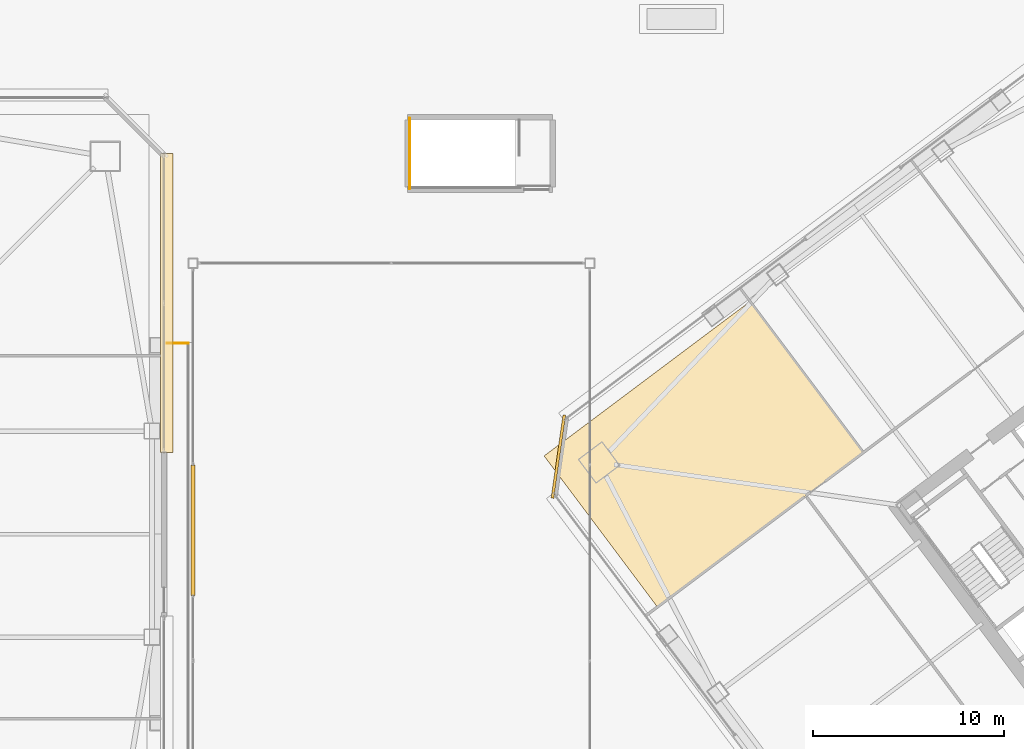
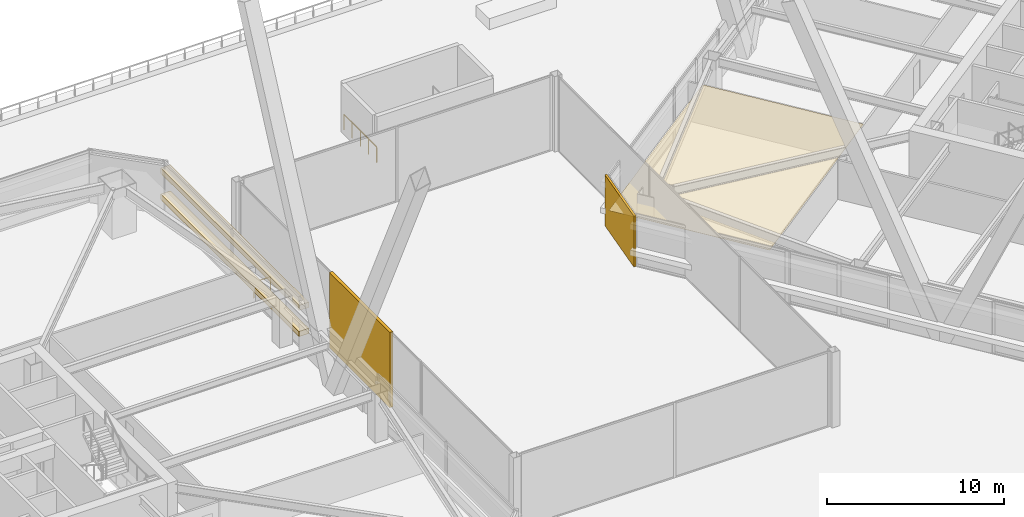
# One storey, part 79 of 83: 5 coverings, 2 railings.
"""IFC4 building model written with IfcOpenShell, lengths in metres."""

from ifc_helpers import new_model, si_unit, direction, frame, origin, origin_2d, place, context, subcontext, project, spatial, polyline, rectangle, outline, extrude, material, layer, layer_set, type_object, element, save


model = new_model("IFC4")

# Units and contexts
model_context = context("Model", 3, precision=1e-05, world=origin(), true_north=direction((0.0, 1.0)))
body_context = subcontext(model_context, "Body", "Model", "MODEL_VIEW")
ifc_project = project(units=[si_unit("LENGTHUNIT", "METRE"), si_unit("AREAUNIT", "SQUARE_METRE"), si_unit("VOLUMEUNIT", "CUBIC_METRE"), si_unit("PLANEANGLEUNIT", "RADIAN"), si_unit("MASSUNIT", "GRAM", prefix="KILO")], contexts=[model_context])

# Site, building, storey
site_placement = place(None, origin())
site = spatial("IfcSite", under=ifc_project, at=site_placement, CompositionType="ELEMENT")
building_placement = place(site_placement, origin())
building = spatial("IfcBuilding", under=site, at=building_placement, Name="Tashvorn Skyway Center", CompositionType="ELEMENT")
storey_placement = place(building_placement, frame((0.0, 0.0, 24.60009765625)))
storey = spatial("IfcBuildingStorey", under=building, at=storey_placement, Name="L05", CompositionType="ELEMENT", Elevation=24.60009765625)

# Coverings
ifc_material_1 = material(Name="Precast concrete C40/50", Category="concrete")
ifc_layer_1 = layer(ifc_material_1, 0.199951171875)
ifc_layer_set_1 = layer_set([ifc_layer_1], Name="Precast concrete C40/50")
covering_type_1 = type_object("IfcCoveringType", Name="COV-BRACE-CLAD", PredefinedType="CLADDING", material=ifc_layer_set_1)
covering_1_placement = place(storey_placement, frame((66.39990234375, 32.211181640625, 0.0), z_axis=(0.0, 0.0, 1.0), x_axis=(0.0, 1.0, 0.0)))
element("IfcCovering", 1, at=covering_1_placement, inside=storey, type_object=covering_type_1, Name="Station Concourse Monitor West Clerestory Curtain Wall Mega-Brace Cladding Band 1", PredefinedType="CLADDING", context=body_context, shape_type="SweptSolid", body=[
    extrude(rectangle(XDim=6.844482421875, YDim=0.199951171875, at=origin_2d()), origin(), (0.0, 0.0, 1.0), 5.199951171875),
])
ifc_material_2 = material(Name="Mineral-fibre acoustic ceiling tile on suspended grid")
ifc_layer_2 = layer(ifc_material_2, 0.02001953125)
ifc_layer_set_2 = layer_set([ifc_layer_2], Name="Mineral-fibre acoustic ceiling tile on suspended grid")
covering_type_2 = type_object("IfcCoveringType", Name="COV-CEIL-20", PredefinedType="CEILING", material=ifc_layer_set_2)
covering_2_placement = place(storey_placement, frame((0.0, 0.0, 2.682861328125)))
element("IfcCovering", 2, at=covering_2_placement, inside=storey, type_object=covering_type_2, Name="Tower 2 L05 Open Plan Office Acoustic Ceiling", PredefinedType="CEILING", context=body_context, shape_type="SweptSolid", body=[
    extrude(outline(polyline([(90.739990234375, 28.179931640625), (101.5400390625, 36.280029296875), (95.60009765625, 44.199951171875), (84.800048828125, 36.10009765625), (90.739990234375, 28.179931640625)])), origin(), (0.0, 0.0, 1.0), 0.02001953125),
])
ifc_material_3 = material(Name="Perforated ceramic-coated bronze aluminium solar screen", Category="aluminium")
ifc_layer_3 = layer(ifc_material_3, 0.85009765625)
ifc_layer_set_3 = layer_set([ifc_layer_3], Name="Perforated ceramic-coated bronze aluminium solar screen")
covering_type_3 = type_object("IfcCoveringType", Name="COV-SOLAR-BAND", PredefinedType="CLADDING", material=ifc_layer_set_3)
for number, where, z_axis, x_axis, name in (
    (3, (65.02001953125, 44.114990234375, 0.919921875), (0.0, 0.0, 1.0), (0.0, -1.0, 0.0), "L05 Perforated Ceramic-Metal Solar Screen Louvre Band East 1"),
    (4, (65.02001953125, 44.114990234375, 2.7197265625), (0.0, 0.0, 1.0), (0.0, -1.0, 0.0), "L05 Perforated Ceramic-Metal Solar Screen Louvre Band East 2"),
):
    element("IfcCovering", number, at=place(storey_placement, frame(where, z_axis=z_axis, x_axis=x_axis)), inside=storey, type_object=covering_type_3, Name=name, PredefinedType="CLADDING", context=body_context, shape_type="SweptSolid", body=[
        extrude(rectangle(XDim=15.64990234375, YDim=0.639892578125, at=origin_2d()), origin(), (0.0, 0.0, 1.0), 0.360107421875),
    ])
ifc_layer_4 = layer(ifc_material_1, 0.35009765625)
ifc_layer_set_4 = layer_set([ifc_layer_4], Name="Precast concrete C40/50")
covering_type_4 = type_object("IfcCoveringType", Name="COV-STONE-TRIM", PredefinedType="CLADDING", material=ifc_layer_set_4)
covering_3_placement = place(storey_placement, frame((85.552001953125, 36.06396484375, 0.02001953125), z_axis=(0.0, 0.0, 1.0), x_axis=(-0.141421350118, -0.989949494535, 0.0)))
element("IfcCovering", 5, at=covering_3_placement, inside=storey, type_object=covering_type_4, Name="Tower 2 L05 NW Mojave Limestone Corner Quoin", PredefinedType="CLADDING", context=body_context, shape_type="SweptSolid", body=[
    extrude(rectangle(XDim=4.402587890625, YDim=0.139892578125, at=origin_2d()), origin(), (0.0, 0.0, 1.0), 3.510009765625),
])

# Railings
ifc_material_4 = material(Name="Galvanized steel S355", Category="steel")
railing_type_1 = type_object("IfcRailingType", Name="RAIL-GUARD-1120", PredefinedType="GUARDRAIL", material=ifc_material_4)
railing_1_placement = place(storey_placement, frame((66.14990234375, 42.0, 0.0)))
element("IfcRailing", 6, at=railing_1_placement, inside=storey, type_object=railing_type_1, Name="L05 Podium Garden Plaza Guardrail 03", PredefinedType="GUARDRAIL", context=body_context, shape_type="SweptSolid", body=[
    extrude(rectangle(XDim=0.048095703125, YDim=0.048095703125, at=origin_2d()), frame((0.0, 0.0, 1.09619140625), z_axis=(-1.0, 0.0, 0.0), x_axis=(0.0, -1.0, 0.0)), (0.0, 0.0, 1.0), 1.099853515625),
    extrude(rectangle(XDim=0.0419921875, YDim=0.0419921875, at=origin_2d()), origin(), (0.0, 0.0, 1.0), 1.072021484375),
    extrude(rectangle(XDim=0.0419921875, YDim=0.0419921875, at=origin_2d()), frame((-1.099853515625, 0.0, 0.0)), (0.0, 0.0, 1.0), 1.072021484375),
])
ifc_material_5 = material(Name="Painted galvanized steel S355", Category="steel")
railing_type_2 = type_object("IfcRailingType", Name="RAIL-STGUARD-1100", PredefinedType="GUARDRAIL", material=ifc_material_5)
railing_2_placement = place(storey_placement, frame((77.75, 53.800048828125, 0.0)))
element("IfcRailing", 7, at=railing_2_placement, inside=storey, type_object=railing_type_2, Name="L05 ST-POD-2 top well guard 3", PredefinedType="GUARDRAIL", context=body_context, shape_type="SweptSolid", body=[
    extrude(rectangle(XDim=0.048095703125, YDim=0.048095703125, at=origin_2d()), frame((0.0, 0.0, 1.076171875), z_axis=(0.0, -1.0, 0.0), x_axis=(1.0, 0.0, 0.0)), (0.0, 0.0, 1.0), 3.699951171875),
    extrude(rectangle(XDim=0.0419921875, YDim=0.0419921875, at=origin_2d()), origin(), (0.0, 0.0, 1.0), 1.052001953125),
    extrude(rectangle(XDim=0.0419921875, YDim=0.0419921875, at=origin_2d()), frame((0.0, -0.925048828125, 0.0)), (0.0, 0.0, 1.0), 1.052001953125),
    extrude(rectangle(XDim=0.0419921875, YDim=0.0419921875, at=origin_2d()), frame((0.0, -1.85009765625, 0.0)), (0.0, 0.0, 1.0), 1.052001953125),
    extrude(rectangle(XDim=0.0419921875, YDim=0.0419921875, at=origin_2d()), frame((0.0, -2.77490234375, 0.0)), (0.0, 0.0, 1.0), 1.052001953125),
    extrude(rectangle(XDim=0.0419921875, YDim=0.0419921875, at=origin_2d()), frame((0.0, -3.699951171875, 0.0)), (0.0, 0.0, 1.0), 1.052001953125),
])

save(model, "model.ifc")
